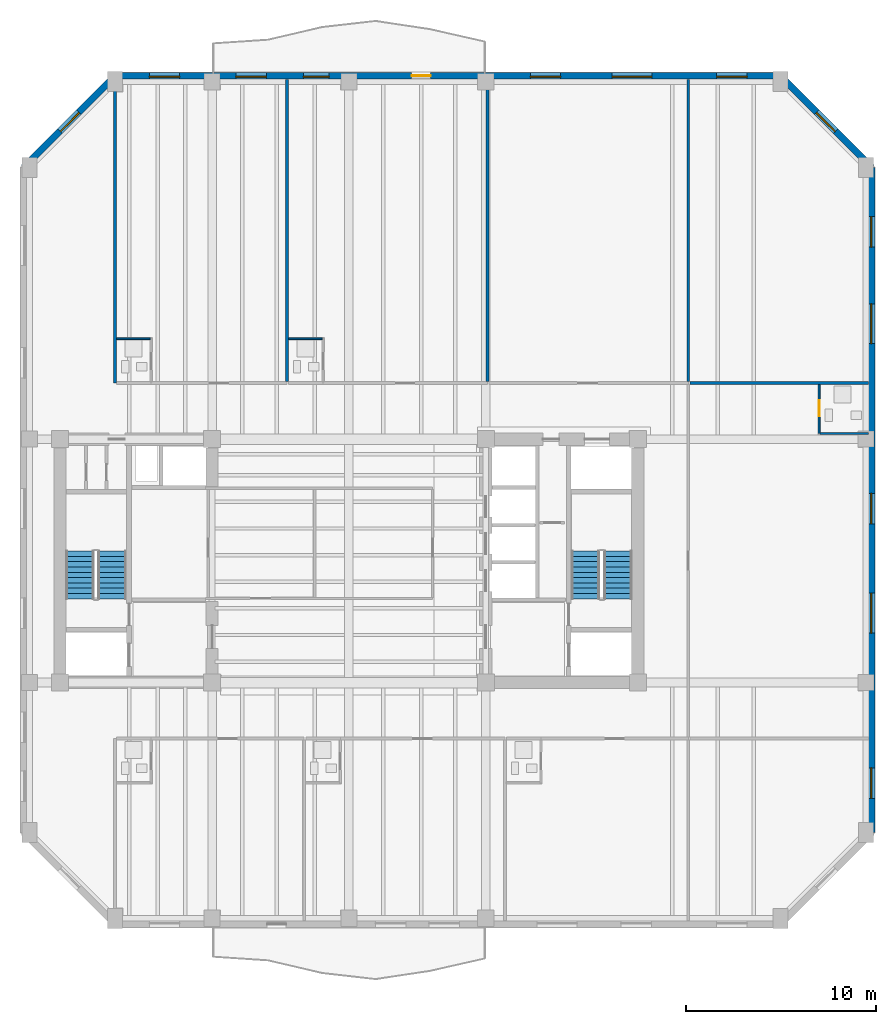
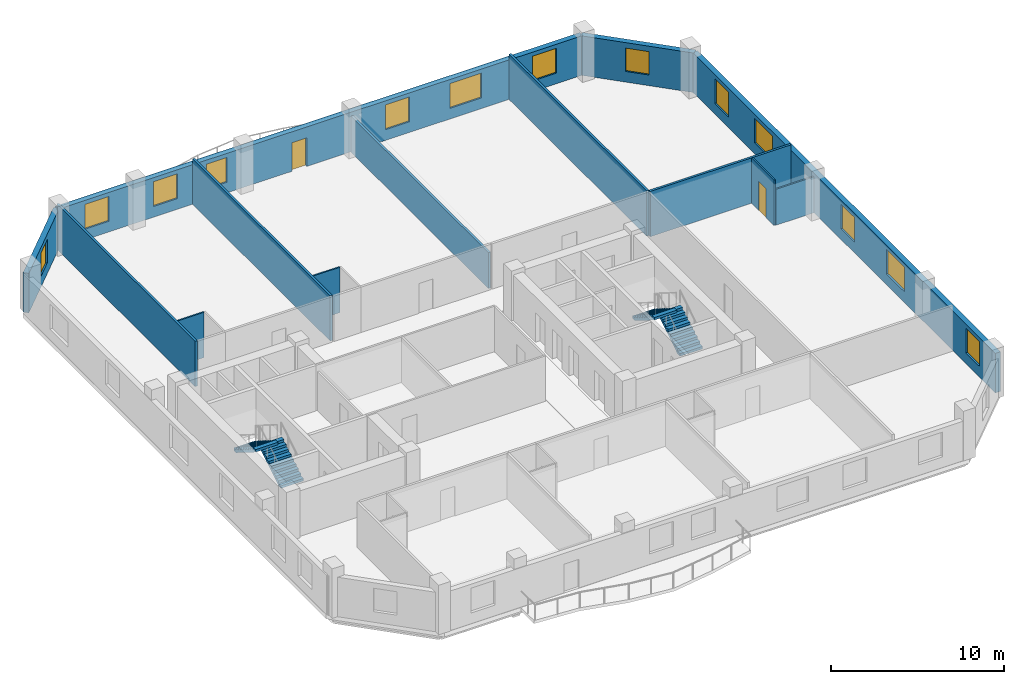
# One storey, part 5 of 9: 13 walls, 13 windows, 4 stair flights, 2 doors, 15 openings, 2 elements without a shape of their own.
"""IFC4 building model written with IfcOpenShell, lengths in metres."""

from ifc_helpers import new_model, si_unit, direction, frame, frame_2d, origin, place, context, subcontext, project, spatial, polyline, rectangle, outline, extrude, material, layer, layer_set, type_object, element, fill, aggregate, save


model = new_model("IFC4")

# Units and contexts
model_context = context("Model", 3, precision=1e-05, world=origin(), true_north=direction((0.0, 1.0)))
body_context = subcontext(model_context, "Body", "Model", "MODEL_VIEW")
ifc_project = project(units=[si_unit("LENGTHUNIT", "METRE"), si_unit("AREAUNIT", "SQUARE_METRE"), si_unit("VOLUMEUNIT", "CUBIC_METRE"), si_unit("PLANEANGLEUNIT", "RADIAN"), si_unit("MASSUNIT", "GRAM", prefix="KILO")], contexts=[model_context])

# Site, building, storey
site_placement = place(None, origin())
site = spatial("IfcSite", under=ifc_project, at=site_placement, CompositionType="ELEMENT")
building_placement = place(site_placement, origin())
building = spatial("IfcBuilding", under=site, at=building_placement, Name="Kranthara Brick Stack", CompositionType="ELEMENT")
storey_placement = place(building_placement, frame((0.0, 0.0, 165.800048828125)))
storey = spatial("IfcBuildingStorey", under=building, at=storey_placement, Name="L42", CompositionType="ELEMENT", Elevation=165.800048828125)

# Wall, opening, window
ifc_material_1 = material(Name="Kiln-fired clay brick masonry M15", Category="masonry")
ifc_layer_1 = layer(ifc_material_1, 0.35009765625)
ifc_layer_set_1 = layer_set([ifc_layer_1], Name="Kiln-fired clay brick masonry M15")
wall_type_1 = type_object("IfcWallType", Name="WL-BRK-SPND-350", PredefinedType="STANDARD", material=ifc_layer_set_1)
wall_1_placement = place(storey_placement, frame((10.89501953125, 47.89990234375, 0.0), z_axis=(0.0, 0.0, 1.0), x_axis=(0.707088817216, 0.7071247447, 0.0)))
wall_1 = element("IfcWall", 1, at=wall_1_placement, inside=storey, type_object=wall_type_1, Name="L42 Exterior Brick Facade Wall NW 1", PredefinedType="STANDARD", context=body_context, shape_type="SweptSolid", body=[
    extrude(rectangle(XDim=6.79541015625, YDim=0.35009765625, at=frame_2d((3.397705078125, 0.0))), origin(), (0.0, 0.0, 1.0), 2.784912109375),
])
opening_1_placement = place(wall_1_placement, frame((2.697998046875, 0.0, 0.75)))
opening_1 = element("IfcOpeningElement", 2, at=opening_1_placement, cuts=wall_1, Name="Opening WN10", PredefinedType="OPENING", context=body_context, shape_type="SweptSolid", body=[
    extrude(rectangle(XDim=1.39990234375, YDim=1.64990234375, at=frame_2d((0.699951171875, 0.824951171875))), frame((0.0, 0.18505859375, 0.0), z_axis=(0.0, -1.0, 0.0), x_axis=(1.0, 0.0, 0.0)), (0.0, 0.0, 1.0), 0.3701171875),
])
ifc_material_2 = material(Name="Double-glazed low-E solar control glass", Category="glass")
window_type_1 = type_object("IfcWindowType", Name="WN-CHM-1400x1750", PartitioningType="SINGLE_PANEL", PredefinedType="WINDOW", material=ifc_material_2)
window_1_placement = place(opening_1_placement, origin())
window_1 = element("IfcWindow", 3, at=window_1_placement, inside=storey, type_object=window_type_1, Name="L42 NW Chamfer Corner Window", OverallHeight=1.64990234375, OverallWidth=1.39990234375, PartitioningType="SINGLE_PANEL", PredefinedType="WINDOW", context=body_context, shape_type="SweptSolid", body=[
    extrude(rectangle(XDim=1.39990234375, YDim=1.64990234375, at=frame_2d((0.699951171875, 0.824951171875))), frame((0.0, -0.010009765625, 0.0), z_axis=(0.0, -1.0, 0.0), x_axis=(1.0, 0.0, 0.0)), (0.0, 0.0, 1.0), 0.06005859375),
])
fill(opening_1, window_1)

# Wall, openings, door, windows
wall_2_placement = place(storey_placement, frame((15.699951171875, 52.705078125, 0.0), z_axis=(0.0, 0.0, 1.0), x_axis=(1.0, 0.0, 0.0)))
wall_2 = element("IfcWall", 4, at=wall_2_placement, inside=storey, type_object=wall_type_1, Name="L42 Exterior Brick Facade Wall NORTH 1", PredefinedType="STANDARD", context=body_context, shape_type="SweptSolid", body=[
    extrude(rectangle(XDim=35.0, YDim=0.35009765625, at=frame_2d((17.5, 0.0))), origin(), (0.0, 0.0, 1.0), 2.784912109375),
])
opening_2_placement = place(wall_2_placement, frame((15.60009765625, 0.0, 0.0)))
opening_2 = element("IfcOpeningElement", 5, at=opening_2_placement, cuts=wall_2, Name="Opening D03", PredefinedType="OPENING", context=body_context, shape_type="SweptSolid", body=[
    extrude(rectangle(XDim=1.0, YDim=2.02001953125, at=frame_2d((0.5, 1.010009765625))), frame((0.0, 0.18505859375, 0.0), z_axis=(0.0, -1.0, 0.0), x_axis=(1.0, 0.0, 0.0)), (0.0, 0.0, 1.0), 0.3701171875),
])
opening_3_placement = place(wall_2_placement, frame((1.800048828125, 0.0, 0.75)))
opening_3 = element("IfcOpeningElement", 6, at=opening_3_placement, cuts=wall_2, Name="Opening WN04", PredefinedType="OPENING", context=body_context, shape_type="SweptSolid", body=[
    extrude(rectangle(XDim=1.60009765625, YDim=1.75, at=frame_2d((0.800048828125, 0.875))), frame((0.0, 0.18505859375, 0.0), z_axis=(0.0, -1.0, 0.0), x_axis=(1.0, 0.0, 0.0)), (0.0, 0.0, 1.0), 0.3701171875),
])
opening_4_placement = place(wall_2_placement, frame((6.360107421875, 0.0, 0.75)))
opening_4 = element("IfcOpeningElement", 7, at=opening_4_placement, cuts=wall_2, Name="Opening WN04", PredefinedType="OPENING", context=body_context, shape_type="SweptSolid", body=[
    extrude(rectangle(XDim=1.60009765625, YDim=1.75, at=frame_2d((0.800048828125, 0.875))), frame((0.0, 0.18505859375, 0.0), z_axis=(0.0, -1.0, 0.0), x_axis=(1.0, 0.0, 0.0)), (0.0, 0.0, 1.0), 0.3701171875),
])
opening_5_placement = place(wall_2_placement, frame((9.909912109375, 0.0, 0.75)))
opening_5 = element("IfcOpeningElement", 8, at=opening_5_placement, cuts=wall_2, Name="Opening WN06", PredefinedType="OPENING", context=body_context, shape_type="SweptSolid", body=[
    extrude(rectangle(XDim=1.35009765625, YDim=1.75, at=frame_2d((0.675048828125, 0.875))), frame((0.0, 0.18505859375, 0.0), z_axis=(0.0, -1.0, 0.0), x_axis=(1.0, 0.0, 0.0)), (0.0, 0.0, 1.0), 0.3701171875),
])
opening_6_placement = place(wall_2_placement, frame((21.839111328125, 0.0, 0.75)))
opening_6 = element("IfcOpeningElement", 9, at=opening_6_placement, cuts=wall_2, Name="Opening WN04", PredefinedType="OPENING", context=body_context, shape_type="SweptSolid", body=[
    extrude(rectangle(XDim=1.60009765625, YDim=1.75, at=frame_2d((0.800048828125, 0.875))), frame((0.0, 0.18505859375, 0.0), z_axis=(0.0, -1.0, 0.0), x_axis=(1.0, 0.0, 0.0)), (0.0, 0.0, 1.0), 0.3701171875),
])
opening_7_placement = place(wall_2_placement, frame((26.136962890625, 0.0, 0.75)))
opening_7 = element("IfcOpeningElement", 10, at=opening_7_placement, cuts=wall_2, Name="Opening WN05", PredefinedType="OPENING", context=body_context, shape_type="SweptSolid", body=[
    extrude(rectangle(XDim=2.10009765625, YDim=1.75, at=frame_2d((1.050048828125, 0.875))), frame((0.0, 0.18505859375, 0.0), z_axis=(0.0, -1.0, 0.0), x_axis=(1.0, 0.0, 0.0)), (0.0, 0.0, 1.0), 0.3701171875),
])
opening_8_placement = place(wall_2_placement, frame((31.636962890625, 0.0, 0.75)))
opening_8 = element("IfcOpeningElement", 11, at=opening_8_placement, cuts=wall_2, Name="Opening WN04", PredefinedType="OPENING", context=body_context, shape_type="SweptSolid", body=[
    extrude(rectangle(XDim=1.60009765625, YDim=1.75, at=frame_2d((0.800048828125, 0.875))), frame((0.0, 0.18505859375, 0.0), z_axis=(0.0, -1.0, 0.0), x_axis=(1.0, 0.0, 0.0)), (0.0, 0.0, 1.0), 0.3701171875),
])
ifc_material_3 = material(Name="Bronze anodised aluminium and laminated glass", Category="aluminium")
door_type_1 = type_object("IfcDoorType", Name="DR-BALC-1000", OperationType="NOTDEFINED", PredefinedType="DOOR", material=ifc_material_3)
door_1_placement = place(opening_2_placement, origin())
door_1 = element("IfcDoor", 12, at=door_1_placement, inside=storey, type_object=door_type_1, Name="L42 North Balcony Terrace Door", OperationType="SINGLE_SWING_RIGHT", OverallHeight=2.02001953125, OverallWidth=1.0, PredefinedType="DOOR", context=body_context, shape_type="SweptSolid", body=[
    extrude(rectangle(XDim=1.0, YDim=2.02001953125, at=frame_2d((0.5, 1.010009765625))), frame((0.0, 0.02490234375, 0.0), z_axis=(0.0, -1.0, 0.0), x_axis=(1.0, 0.0, 0.0)), (0.0, 0.0, 1.0), 0.050048828125),
])
fill(opening_2, door_1)
ifc_material_4 = material(Name="Double-glazed low-E solar control glass", Category="glass")
window_type_2 = type_object("IfcWindowType", Name="WN-HTL-1350x1850", PartitioningType="SINGLE_PANEL", PredefinedType="WINDOW", material=ifc_material_4)
window_2_placement = place(opening_5_placement, origin())
window_2 = element("IfcWindow", 13, at=window_2_placement, inside=storey, type_object=window_type_2, Name="L42 North Deep-Set Brick Window 03", OverallHeight=1.75, OverallWidth=1.35009765625, PartitioningType="SINGLE_PANEL", PredefinedType="WINDOW", context=body_context, shape_type="SweptSolid", body=[
    extrude(rectangle(XDim=1.35009765625, YDim=1.75, at=frame_2d((0.675048828125, 0.875))), frame((0.0, -0.010009765625, 0.0), z_axis=(0.0, -1.0, 0.0), x_axis=(1.0, 0.0, 0.0)), (0.0, 0.0, 1.0), 0.06005859375),
])
fill(opening_5, window_2)
ifc_material_5 = material(Name="Double-glazed low-E solar control glass", Category="glass")
window_type_3 = type_object("IfcWindowType", Name="WN-HTL-1600x1850", PartitioningType="DOUBLE_PANEL_VERTICAL", PredefinedType="WINDOW", material=ifc_material_5)
window_3_placement = place(opening_3_placement, origin())
window_3 = element("IfcWindow", 14, at=window_3_placement, inside=storey, type_object=window_type_3, Name="L42 North Deep-Set Brick Window 01", OverallHeight=1.75, OverallWidth=1.60009765625, PartitioningType="SINGLE_PANEL", PredefinedType="WINDOW", context=body_context, shape_type="SweptSolid", body=[
    extrude(rectangle(XDim=1.60009765625, YDim=1.75, at=frame_2d((0.800048828125, 0.875))), frame((0.0, -0.010009765625, 0.0), z_axis=(0.0, -1.0, 0.0), x_axis=(1.0, 0.0, 0.0)), (0.0, 0.0, 1.0), 0.06005859375),
])
fill(opening_3, window_3)
window_4_placement = place(opening_4_placement, origin())
window_4 = element("IfcWindow", 15, at=window_4_placement, inside=storey, type_object=window_type_3, Name="L42 North Deep-Set Brick Window 02", OverallHeight=1.75, OverallWidth=1.60009765625, PartitioningType="SINGLE_PANEL", PredefinedType="WINDOW", context=body_context, shape_type="SweptSolid", body=[
    extrude(rectangle(XDim=1.60009765625, YDim=1.75, at=frame_2d((0.800048828125, 0.875))), frame((0.0, -0.010009765625, 0.0), z_axis=(0.0, -1.0, 0.0), x_axis=(1.0, 0.0, 0.0)), (0.0, 0.0, 1.0), 0.06005859375),
])
fill(opening_4, window_4)
window_5_placement = place(opening_6_placement, origin())
window_5 = element("IfcWindow", 16, at=window_5_placement, inside=storey, type_object=window_type_3, Name="L42 North Deep-Set Brick Window 04", OverallHeight=1.75, OverallWidth=1.60009765625, PartitioningType="SINGLE_PANEL", PredefinedType="WINDOW", context=body_context, shape_type="SweptSolid", body=[
    extrude(rectangle(XDim=1.60009765625, YDim=1.75, at=frame_2d((0.800048828125, 0.875))), frame((0.0, -0.010009765625, 0.0), z_axis=(0.0, -1.0, 0.0), x_axis=(1.0, 0.0, 0.0)), (0.0, 0.0, 1.0), 0.06005859375),
])
fill(opening_6, window_5)
window_6_placement = place(opening_8_placement, origin())
window_6 = element("IfcWindow", 17, at=window_6_placement, inside=storey, type_object=window_type_3, Name="L42 North Deep-Set Brick Window 06", OverallHeight=1.75, OverallWidth=1.60009765625, PartitioningType="SINGLE_PANEL", PredefinedType="WINDOW", context=body_context, shape_type="SweptSolid", body=[
    extrude(rectangle(XDim=1.60009765625, YDim=1.75, at=frame_2d((0.800048828125, 0.875))), frame((0.0, -0.010009765625, 0.0), z_axis=(0.0, -1.0, 0.0), x_axis=(1.0, 0.0, 0.0)), (0.0, 0.0, 1.0), 0.06005859375),
])
fill(opening_8, window_6)
ifc_material_6 = material(Name="Double-glazed low-E solar control glass", Category="glass")
window_type_4 = type_object("IfcWindowType", Name="WN-HTL-2100x1850", PartitioningType="DOUBLE_PANEL_VERTICAL", PredefinedType="WINDOW", material=ifc_material_6)
window_7_placement = place(opening_7_placement, origin())
window_7 = element("IfcWindow", 18, at=window_7_placement, inside=storey, type_object=window_type_4, Name="L42 North Deep-Set Brick Window 05", OverallHeight=1.75, OverallWidth=2.10009765625, PartitioningType="SINGLE_PANEL", PredefinedType="WINDOW", context=body_context, shape_type="SweptSolid", body=[
    extrude(rectangle(XDim=2.10009765625, YDim=1.75, at=frame_2d((1.050048828125, 0.875))), frame((0.0, -0.010009765625, 0.0), z_axis=(0.0, -1.0, 0.0), x_axis=(1.0, 0.0, 0.0)), (0.0, 0.0, 1.0), 0.06005859375),
])
fill(opening_7, window_7)

# Wall, opening, window
wall_3_placement = place(storey_placement, frame((50.699951171875, 52.705078125, 0.0), z_axis=(0.0, 0.0, 1.0), x_axis=(0.707088817216, -0.7071247447, 0.0)))
wall_3 = element("IfcWall", 19, at=wall_3_placement, inside=storey, type_object=wall_type_1, Name="L42 Exterior Brick Facade Wall NE 1", PredefinedType="STANDARD", context=body_context, shape_type="SweptSolid", body=[
    extrude(rectangle(XDim=6.79541015625, YDim=0.35009765625, at=frame_2d((3.397705078125, 0.0))), origin(), (0.0, 0.0, 1.0), 2.784912109375),
])
opening_9_placement = place(wall_3_placement, frame((2.697998046875, 0.0, 0.75)))
opening_9 = element("IfcOpeningElement", 20, at=opening_9_placement, cuts=wall_3, Name="Opening WN10", PredefinedType="OPENING", context=body_context, shape_type="SweptSolid", body=[
    extrude(rectangle(XDim=1.39990234375, YDim=1.64990234375, at=frame_2d((0.699951171875, 0.824951171875))), frame((0.0, 0.18505859375, 0.0), z_axis=(0.0, -1.0, 0.0), x_axis=(1.0, 0.0, 0.0)), (0.0, 0.0, 1.0), 0.3701171875),
])
window_8_placement = place(opening_9_placement, origin())
window_8 = element("IfcWindow", 21, at=window_8_placement, inside=storey, type_object=window_type_1, Name="L42 NE Chamfer Corner Window", OverallHeight=1.64990234375, OverallWidth=1.39990234375, PartitioningType="SINGLE_PANEL", PredefinedType="WINDOW", context=body_context, shape_type="SweptSolid", body=[
    extrude(rectangle(XDim=1.39990234375, YDim=1.64990234375, at=frame_2d((0.699951171875, 0.824951171875))), frame((0.0, -0.010009765625, 0.0), z_axis=(0.0, -1.0, 0.0), x_axis=(1.0, 0.0, 0.0)), (0.0, 0.0, 1.0), 0.06005859375),
])
fill(opening_9, window_8)

# Wall, openings, windows
wall_4_placement = place(storey_placement, frame((55.5048828125, 47.89990234375, 0.0), z_axis=(0.0, 0.0, 1.0), x_axis=(0.0, -1.0, 0.0)))
wall_4 = element("IfcWall", 22, at=wall_4_placement, inside=storey, type_object=wall_type_1, Name="L42 Exterior Brick Facade Wall EAST 1", PredefinedType="STANDARD", context=body_context, shape_type="SweptSolid", body=[
    extrude(rectangle(XDim=35.0, YDim=0.35009765625, at=frame_2d((17.5, 0.0))), origin(), (0.0, 0.0, 1.0), 2.784912109375),
])
opening_10_placement = place(wall_4_placement, frame((2.594970703125, 0.0, 0.75)))
opening_10 = element("IfcOpeningElement", 23, at=opening_10_placement, cuts=wall_4, Name="Opening WN04", PredefinedType="OPENING", context=body_context, shape_type="SweptSolid", body=[
    extrude(rectangle(XDim=1.60009765625, YDim=1.75, at=frame_2d((0.800048828125, 0.875))), frame((0.0, 0.18505859375, 0.0), z_axis=(0.0, -1.0, 0.0), x_axis=(1.0, 0.0, 0.0)), (0.0, 0.0, 1.0), 0.3701171875),
])
opening_11_placement = place(wall_4_placement, frame((7.180908203125, 0.0, 0.75)))
opening_11 = element("IfcOpeningElement", 24, at=opening_11_placement, cuts=wall_4, Name="Opening WN05", PredefinedType="OPENING", context=body_context, shape_type="SweptSolid", body=[
    extrude(rectangle(XDim=2.10009765625, YDim=1.75, at=frame_2d((1.050048828125, 0.875))), frame((0.0, 0.18505859375, 0.0), z_axis=(0.0, -1.0, 0.0), x_axis=(1.0, 0.0, 0.0)), (0.0, 0.0, 1.0), 0.3701171875),
])
opening_12_placement = place(wall_4_placement, frame((17.152099609375, 0.0, 0.75)))
opening_12 = element("IfcOpeningElement", 25, at=opening_12_placement, cuts=wall_4, Name="Opening WN04", PredefinedType="OPENING", context=body_context, shape_type="SweptSolid", body=[
    extrude(rectangle(XDim=1.60009765625, YDim=1.75, at=frame_2d((0.800048828125, 0.875))), frame((0.0, 0.18505859375, 0.0), z_axis=(0.0, -1.0, 0.0), x_axis=(1.0, 0.0, 0.0)), (0.0, 0.0, 1.0), 0.3701171875),
])
opening_13_placement = place(wall_4_placement, frame((22.39794921875, 0.0, 0.75)))
opening_13 = element("IfcOpeningElement", 26, at=opening_13_placement, cuts=wall_4, Name="Opening WN05", PredefinedType="OPENING", context=body_context, shape_type="SweptSolid", body=[
    extrude(rectangle(XDim=2.10009765625, YDim=1.75, at=frame_2d((1.050048828125, 0.875))), frame((0.0, 0.18505859375, 0.0), z_axis=(0.0, -1.0, 0.0), x_axis=(1.0, 0.0, 0.0)), (0.0, 0.0, 1.0), 0.3701171875),
])
opening_14_placement = place(wall_4_placement, frame((31.587890625, 0.0, 0.75)))
opening_14 = element("IfcOpeningElement", 27, at=opening_14_placement, cuts=wall_4, Name="Opening WN04", PredefinedType="OPENING", context=body_context, shape_type="SweptSolid", body=[
    extrude(rectangle(XDim=1.60009765625, YDim=1.75, at=frame_2d((0.800048828125, 0.875))), frame((0.0, 0.18505859375, 0.0), z_axis=(0.0, -1.0, 0.0), x_axis=(1.0, 0.0, 0.0)), (0.0, 0.0, 1.0), 0.3701171875),
])
window_9_placement = place(opening_10_placement, origin())
window_9 = element("IfcWindow", 28, at=window_9_placement, inside=storey, type_object=window_type_3, Name="L42 East Deep-Set Brick Window 01", OverallHeight=1.75, OverallWidth=1.60009765625, PartitioningType="SINGLE_PANEL", PredefinedType="WINDOW", context=body_context, shape_type="SweptSolid", body=[
    extrude(rectangle(XDim=1.60009765625, YDim=1.75, at=frame_2d((0.800048828125, 0.875))), frame((0.0, -0.010009765625, 0.0), z_axis=(0.0, -1.0, 0.0), x_axis=(1.0, 0.0, 0.0)), (0.0, 0.0, 1.0), 0.06005859375),
])
fill(opening_10, window_9)
window_10_placement = place(opening_12_placement, origin())
window_10 = element("IfcWindow", 29, at=window_10_placement, inside=storey, type_object=window_type_3, Name="L42 East Deep-Set Brick Window 03", OverallHeight=1.75, OverallWidth=1.60009765625, PartitioningType="SINGLE_PANEL", PredefinedType="WINDOW", context=body_context, shape_type="SweptSolid", body=[
    extrude(rectangle(XDim=1.60009765625, YDim=1.75, at=frame_2d((0.800048828125, 0.875))), frame((0.0, -0.010009765625, 0.0), z_axis=(0.0, -1.0, 0.0), x_axis=(1.0, 0.0, 0.0)), (0.0, 0.0, 1.0), 0.06005859375),
])
fill(opening_12, window_10)
window_11_placement = place(opening_14_placement, origin())
window_11 = element("IfcWindow", 30, at=window_11_placement, inside=storey, type_object=window_type_3, Name="L42 East Deep-Set Brick Window 05", OverallHeight=1.75, OverallWidth=1.60009765625, PartitioningType="SINGLE_PANEL", PredefinedType="WINDOW", context=body_context, shape_type="SweptSolid", body=[
    extrude(rectangle(XDim=1.60009765625, YDim=1.75, at=frame_2d((0.800048828125, 0.875))), frame((0.0, -0.010009765625, 0.0), z_axis=(0.0, -1.0, 0.0), x_axis=(1.0, 0.0, 0.0)), (0.0, 0.0, 1.0), 0.06005859375),
])
fill(opening_14, window_11)
window_12_placement = place(opening_11_placement, origin())
window_12 = element("IfcWindow", 31, at=window_12_placement, inside=storey, type_object=window_type_4, Name="L42 East Deep-Set Brick Window 02", OverallHeight=1.75, OverallWidth=2.10009765625, PartitioningType="SINGLE_PANEL", PredefinedType="WINDOW", context=body_context, shape_type="SweptSolid", body=[
    extrude(rectangle(XDim=2.10009765625, YDim=1.75, at=frame_2d((1.050048828125, 0.875))), frame((0.0, -0.010009765625, 0.0), z_axis=(0.0, -1.0, 0.0), x_axis=(1.0, 0.0, 0.0)), (0.0, 0.0, 1.0), 0.06005859375),
])
fill(opening_11, window_12)
window_13_placement = place(opening_13_placement, origin())
window_13 = element("IfcWindow", 32, at=window_13_placement, inside=storey, type_object=window_type_4, Name="L42 East Deep-Set Brick Window 04", OverallHeight=1.75, OverallWidth=2.10009765625, PartitioningType="SINGLE_PANEL", PredefinedType="WINDOW", context=body_context, shape_type="SweptSolid", body=[
    extrude(rectangle(XDim=2.10009765625, YDim=1.75, at=frame_2d((1.050048828125, 0.875))), frame((0.0, -0.010009765625, 0.0), z_axis=(0.0, -1.0, 0.0), x_axis=(1.0, 0.0, 0.0)), (0.0, 0.0, 1.0), 0.06005859375),
])
fill(opening_13, window_13)

# Walls
ifc_material_7 = material(Name="Moisture-resistant wet-room partition", Category="other")
ifc_layer_2 = layer(ifc_material_7, 0.10009765625)
ifc_layer_set_2 = layer_set([ifc_layer_2], Name="Moisture-resistant wet-room partition")
wall_type_2 = type_object("IfcWallType", Name="WL-PART-100", PredefinedType="PARTITIONING", material=ifc_layer_set_2)
wall_5_placement = place(storey_placement, frame((15.780029296875, 38.8798828125, 0.0), z_axis=(0.0, 0.0, 1.0), x_axis=(1.0, 0.0, 0.0)))
element("IfcWall", 33, at=wall_5_placement, inside=storey, type_object=wall_type_2, Name="L42 Interior Partition 029", PredefinedType="PARTITIONING", context=body_context, shape_type="SweptSolid", body=[
    extrude(rectangle(XDim=1.764892578125, YDim=0.10009765625, at=frame_2d((0.88232421875, 0.0))), origin(), (0.0, 0.0, 1.0), 3.199951171875),
])
wall_6_placement = place(storey_placement, frame((24.824951171875, 38.8798828125, 0.0), z_axis=(0.0, 0.0, 1.0), x_axis=(1.0, 0.0, 0.0)))
element("IfcWall", 34, at=wall_6_placement, inside=storey, type_object=wall_type_2, Name="L42 Interior Partition 034", PredefinedType="PARTITIONING", context=body_context, shape_type="SweptSolid", body=[
    extrude(rectangle(XDim=1.76513671875, YDim=0.10009765625, at=frame_2d((0.882568359375, 0.0))), origin(), (0.0, 0.0, 1.0), 3.199951171875),
])

# Wall, opening, door
wall_7_placement = place(storey_placement, frame((52.72998046875, 33.89990234375, 0.0), z_axis=(0.0, 0.0, 1.0), x_axis=(0.0, 1.0, 0.0)))
wall_7 = element("IfcWall", 35, at=wall_7_placement, inside=storey, type_object=wall_type_2, Name="L42 Interior Partition 041", PredefinedType="PARTITIONING", context=body_context, shape_type="SweptSolid", body=[
    extrude(rectangle(XDim=2.570068359375, YDim=0.10009765625, at=frame_2d((1.28515625, 0.0))), origin(), (0.0, 0.0, 1.0), 3.199951171875),
])
opening_15_placement = place(wall_7_placement, frame((0.905029296875, 0.0, 0.0)))
opening_15 = element("IfcOpeningElement", 36, at=opening_15_placement, cuts=wall_7, Name="Opening D17", PredefinedType="OPENING", context=body_context, shape_type="SweptSolid", body=[
    extrude(rectangle(XDim=0.85009765625, YDim=2.050048828125, at=frame_2d((0.425048828125, 1.02490234375))), frame((0.0, 0.06005859375, 0.0), z_axis=(0.0, -1.0, 0.0), x_axis=(1.0, 0.0, 0.0)), (0.0, 0.0, 1.0), 0.1201171875),
])
ifc_material_8 = material(Name="Solid-core hardwood timber leaf in steel frame", Category="steel")
door_type_2 = type_object("IfcDoorType", Name="DR-WET-850", OperationType="NOTDEFINED", PredefinedType="DOOR", material=ifc_material_8)
door_2_placement = place(opening_15_placement, origin())
door_2 = element("IfcDoor", 37, at=door_2_placement, inside=storey, type_object=door_type_2, Name="L42 East Key 7 Bath 18", OperationType="SINGLE_SWING_RIGHT", OverallHeight=2.050048828125, OverallWidth=0.85009765625, PredefinedType="DOOR", context=body_context, shape_type="SweptSolid", body=[
    extrude(rectangle(XDim=0.85009765625, YDim=2.050048828125, at=frame_2d((0.425048828125, 1.02490234375))), frame((0.0, 0.02490234375, 0.0), z_axis=(0.0, -1.0, 0.0), x_axis=(1.0, 0.0, 0.0)), (0.0, 0.0, 1.0), 0.050048828125),
])
fill(opening_15, door_2)

# Walls
wall_8_placement = place(storey_placement, frame((52.784912109375, 33.89990234375, 0.0), z_axis=(0.0, 0.0, 1.0), x_axis=(1.0, 0.0, 0.0)))
element("IfcWall", 38, at=wall_8_placement, inside=storey, type_object=wall_type_2, Name="L42 Interior Partition 042", PredefinedType="PARTITIONING", context=body_context, shape_type="SweptSolid", body=[
    extrude(rectangle(XDim=2.5400390625, YDim=0.10009765625, at=frame_2d((1.27001953125, 0.0))), origin(), (0.0, 0.0, 1.0), 2.534912109375),
])
ifc_material_9 = material(Name="Fire-rated gypsum board partition", Category="other")
ifc_layer_3 = layer(ifc_material_9, 0.14990234375)
ifc_layer_set_3 = layer_set([ifc_layer_3], Name="Fire-rated gypsum board partition")
wall_type_3 = type_object("IfcWallType", Name="WL-PART-150", PredefinedType="PARTITIONING", material=ifc_layer_set_3)
wall_9_placement = place(storey_placement, frame((15.699951171875, 36.550048828125, 0.0), z_axis=(0.0, 0.0, 1.0), x_axis=(0.0, 1.0, 0.0)))
element("IfcWall", 39, at=wall_9_placement, inside=storey, type_object=wall_type_3, Name="L42 Interior Partition 025", PredefinedType="PARTITIONING", context=body_context, shape_type="SweptSolid", body=[
    extrude(rectangle(XDim=15.974853515625, YDim=0.14990234375, at=frame_2d((7.9873046875, 0.0))), origin(), (0.0, 0.0, 1.0), 3.199951171875),
])
wall_10_placement = place(storey_placement, frame((24.7451171875, 36.6298828125, 0.0), z_axis=(0.0, 0.0, 1.0), x_axis=(0.0, 1.0, 0.0)))
element("IfcWall", 40, at=wall_10_placement, inside=storey, type_object=wall_type_3, Name="L42 Interior Partition 030", PredefinedType="PARTITIONING", context=body_context, shape_type="SweptSolid", body=[
    extrude(rectangle(XDim=15.89501953125, YDim=0.14990234375, at=frame_2d((7.947509765625, 0.0))), origin(), (0.0, 0.0, 1.0), 3.199951171875),
])
wall_11_placement = place(storey_placement, frame((35.297119140625, 36.6298828125, 0.0), z_axis=(0.0, 0.0, 1.0), x_axis=(0.0, 1.0, 0.0)))
element("IfcWall", 41, at=wall_11_placement, inside=storey, type_object=wall_type_3, Name="L42 Interior Partition 035", PredefinedType="PARTITIONING", context=body_context, shape_type="SweptSolid", body=[
    extrude(rectangle(XDim=15.89501953125, YDim=0.14990234375, at=frame_2d((7.947509765625, 0.0))), origin(), (0.0, 0.0, 1.0), 2.534912109375),
])
wall_12_placement = place(storey_placement, frame((45.85009765625, 36.6298828125, 0.0), z_axis=(0.0, 0.0, 1.0), x_axis=(0.0, 1.0, 0.0)))
element("IfcWall", 42, at=wall_12_placement, inside=storey, type_object=wall_type_3, Name="L42 Interior Partition 037", PredefinedType="PARTITIONING", context=body_context, shape_type="SweptSolid", body=[
    extrude(rectangle(XDim=15.89501953125, YDim=0.14990234375, at=frame_2d((7.947509765625, 0.0))), origin(), (0.0, 0.0, 1.0), 3.199951171875),
])
wall_13_placement = place(storey_placement, frame((45.929931640625, 36.550048828125, 0.0), z_axis=(0.0, 0.0, 1.0), x_axis=(1.0, 0.0, 0.0)))
element("IfcWall", 43, at=wall_13_placement, inside=storey, type_object=wall_type_3, Name="L42 Interior Partition 039", PredefinedType="PARTITIONING", context=body_context, shape_type="SweptSolid", body=[
    extrude(rectangle(XDim=9.39501953125, YDim=0.14990234375, at=frame_2d((4.697509765625, 0.0))), origin(), (0.0, 0.0, 1.0), 3.199951171875),
])

# Stair, stair flights
ifc_material_10 = material(Name="Concrete C45/55", Category="concrete")
stair_type = type_object("IfcStairType", Name="ST-CORE-20R", PredefinedType="HALF_TURN_STAIR", material=ifc_material_10)
stair_1_placement = place(storey_placement, origin())
stair_1 = element("IfcStair", 44, at=stair_1_placement, inside=storey, type_object=stair_type, Name="L42 West Core Protected Exit Stair ST01", PredefinedType="HALF_TURN_STAIR")
ifc_material_11 = material(Name="Concrete C45/55", Category="concrete")
stair_flight_type = type_object("IfcStairFlightType", Name="SFL-RC-20R", PredefinedType="STRAIGHT", material=ifc_material_11)
stair_flight_1_placement = place(storey_placement, frame((15.550048828125, 25.199951171875, 0.0), z_axis=(0.0, 0.0, 1.0), x_axis=(0.0, 1.0, 0.0)))
stair_flight_1 = element("IfcStairFlight", 45, at=stair_flight_1_placement, type_object=stair_flight_type, Name="ST01 flight 1", NumberOfRisers=10, NumberOfTreads=9, PredefinedType="STRAIGHT", RiserHeight=0.175, TreadLength=0.28, context=body_context, shape_type="SweptSolid", body=[
    extrude(outline(polyline([(0.0, 0.0), (0.0, 0.175048828125), (0.280029296875, 0.175048828125), (0.280029296875, 0.35009765625), (0.56005859375, 0.35009765625), (0.56005859375, 0.52490234375), (0.840087890625, 0.52490234375), (0.840087890625, 0.699951171875), (1.1201171875, 0.699951171875), (1.1201171875, 0.875), (1.39990234375, 0.875), (1.39990234375, 1.050048828125), (1.679931640625, 1.050048828125), (1.679931640625, 1.22509765625), (1.9599609375, 1.22509765625), (1.9599609375, 1.39990234375), (2.239990234375, 1.39990234375), (2.239990234375, 1.574951171875), (2.52001953125, 1.574951171875), (2.52001953125, 1.75), (2.52001953125, 1.398193359375), (0.28271484375, 0.0), (0.0, 0.0)])), frame((0.0, 0.75, 0.0), z_axis=(0.0, -1.0, 0.0), x_axis=(1.0, 0.0, 0.0)), (0.0, 0.0, 1.0), 1.5),
])
stair_flight_2_placement = place(storey_placement, frame((13.85009765625, 27.719970703125, 1.75), z_axis=(0.0, 0.0, 1.0), x_axis=(0.0, -1.0, 0.0)))
stair_flight_2 = element("IfcStairFlight", 46, at=stair_flight_2_placement, type_object=stair_flight_type, Name="ST01 flight 2", NumberOfRisers=10, NumberOfTreads=9, PredefinedType="STRAIGHT", RiserHeight=0.175, TreadLength=0.28, context=body_context, shape_type="SweptSolid", body=[
    extrude(outline(polyline([(0.0, 0.0), (0.0, 0.175048828125), (0.280029296875, 0.175048828125), (0.280029296875, 0.35009765625), (0.56005859375, 0.35009765625), (0.56005859375, 0.52490234375), (0.840087890625, 0.52490234375), (0.840087890625, 0.699951171875), (1.1201171875, 0.699951171875), (1.1201171875, 0.875), (1.39990234375, 0.875), (1.39990234375, 1.050048828125), (1.679931640625, 1.050048828125), (1.679931640625, 1.22509765625), (1.9599609375, 1.22509765625), (1.9599609375, 1.39990234375), (2.239990234375, 1.39990234375), (2.239990234375, 1.574951171875), (2.52001953125, 1.574951171875), (2.52001953125, 1.75), (2.52001953125, 1.398193359375), (0.28271484375, 0.0), (0.0, 0.0)])), frame((0.0, 0.75, 0.0), z_axis=(0.0, -1.0, 0.0), x_axis=(1.0, 0.0, 0.0)), (0.0, 0.0, 1.0), 1.5),
])
aggregate(stair_1, [stair_flight_1, stair_flight_2])

stair_2_placement = place(storey_placement, origin())
stair_2 = element("IfcStair", 47, at=stair_2_placement, inside=storey, type_object=stair_type, Name="L42 East Core Protected Exit Stair ST02", PredefinedType="HALF_TURN_STAIR")
stair_flight_3_placement = place(storey_placement, frame((42.14990234375, 25.199951171875, 0.0), z_axis=(0.0, 0.0, 1.0), x_axis=(0.0, 1.0, 0.0)))
stair_flight_3 = element("IfcStairFlight", 48, at=stair_flight_3_placement, type_object=stair_flight_type, Name="ST02 flight 1", NumberOfRisers=10, NumberOfTreads=9, PredefinedType="STRAIGHT", RiserHeight=0.175, TreadLength=0.28, context=body_context, shape_type="SweptSolid", body=[
    extrude(outline(polyline([(0.0, 0.0), (0.0, 0.175048828125), (0.280029296875, 0.175048828125), (0.280029296875, 0.35009765625), (0.56005859375, 0.35009765625), (0.56005859375, 0.52490234375), (0.840087890625, 0.52490234375), (0.840087890625, 0.699951171875), (1.1201171875, 0.699951171875), (1.1201171875, 0.875), (1.39990234375, 0.875), (1.39990234375, 1.050048828125), (1.679931640625, 1.050048828125), (1.679931640625, 1.22509765625), (1.9599609375, 1.22509765625), (1.9599609375, 1.39990234375), (2.239990234375, 1.39990234375), (2.239990234375, 1.574951171875), (2.52001953125, 1.574951171875), (2.52001953125, 1.75), (2.52001953125, 1.398193359375), (0.28271484375, 0.0), (0.0, 0.0)])), frame((0.0, 0.75, 0.0), z_axis=(0.0, -1.0, 0.0), x_axis=(1.0, 0.0, 0.0)), (0.0, 0.0, 1.0), 1.5),
])
stair_flight_4_placement = place(storey_placement, frame((40.449951171875, 27.719970703125, 1.75), z_axis=(0.0, 0.0, 1.0), x_axis=(0.0, -1.0, 0.0)))
stair_flight_4 = element("IfcStairFlight", 49, at=stair_flight_4_placement, type_object=stair_flight_type, Name="ST02 flight 2", NumberOfRisers=10, NumberOfTreads=9, PredefinedType="STRAIGHT", RiserHeight=0.175, TreadLength=0.28, context=body_context, shape_type="SweptSolid", body=[
    extrude(outline(polyline([(0.0, 0.0), (0.0, 0.175048828125), (0.280029296875, 0.175048828125), (0.280029296875, 0.35009765625), (0.56005859375, 0.35009765625), (0.56005859375, 0.52490234375), (0.840087890625, 0.52490234375), (0.840087890625, 0.699951171875), (1.1201171875, 0.699951171875), (1.1201171875, 0.875), (1.39990234375, 0.875), (1.39990234375, 1.050048828125), (1.679931640625, 1.050048828125), (1.679931640625, 1.22509765625), (1.9599609375, 1.22509765625), (1.9599609375, 1.39990234375), (2.239990234375, 1.39990234375), (2.239990234375, 1.574951171875), (2.52001953125, 1.574951171875), (2.52001953125, 1.75), (2.52001953125, 1.398193359375), (0.28271484375, 0.0), (0.0, 0.0)])), frame((0.0, 0.75, 0.0), z_axis=(0.0, -1.0, 0.0), x_axis=(1.0, 0.0, 0.0)), (0.0, 0.0, 1.0), 1.5),
])
aggregate(stair_2, [stair_flight_3, stair_flight_4])

save(model, "model.ifc")
